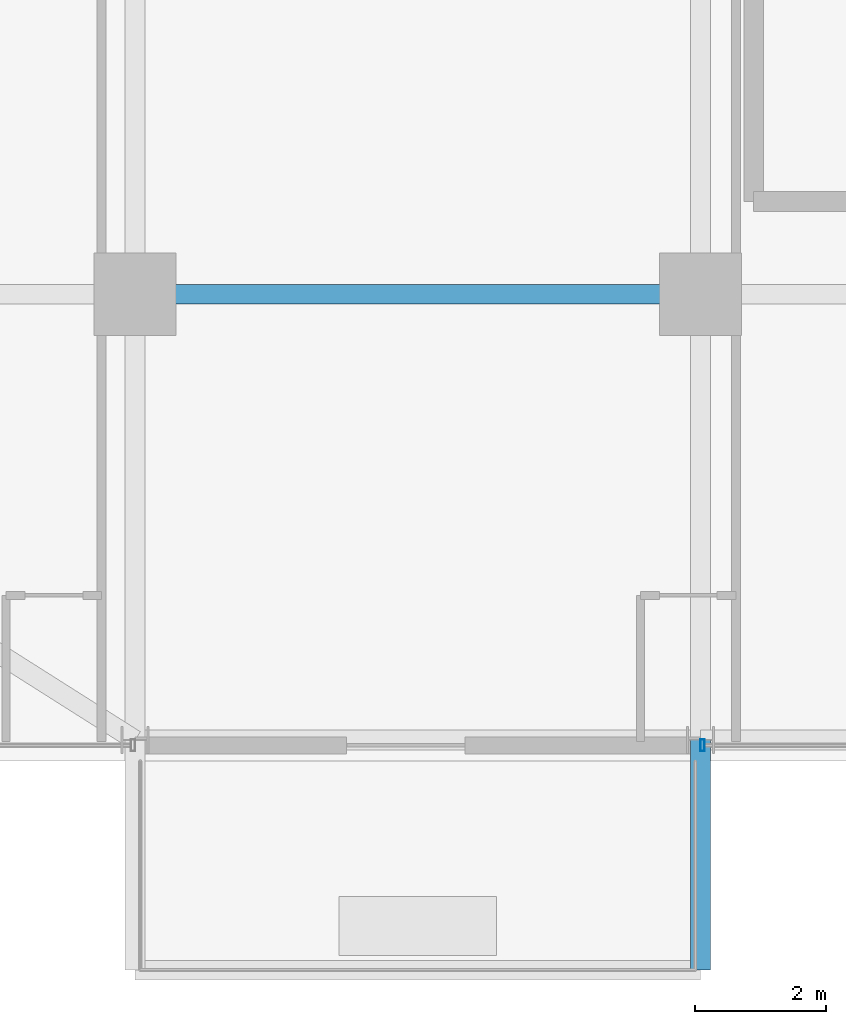
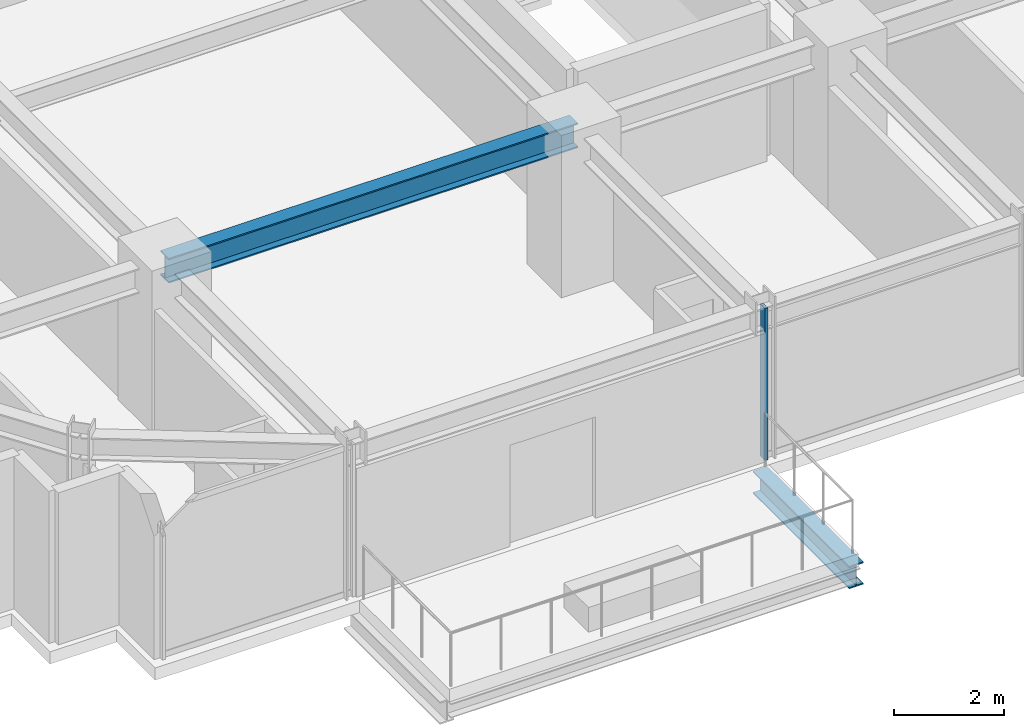
# One storey, part 5 of 32: 2 beams, 1 member, 1 element without a shape of its own.
"""IFC4 building model written with IfcOpenShell, lengths in metres."""

from ifc_helpers import new_model, si_unit, direction, frame, origin, origin_2d, place, context, subcontext, project, spatial, hollow_rectangle, i_section, extrude, source, transform, mapped, material, material_profile, profile_set, type_object, element, aggregate, save


model = new_model("IFC4")

# Units and contexts
model_context = context("Model", 3, precision=1e-05, world=origin(), true_north=direction((0.0, 1.0)))
body_context = subcontext(model_context, "Body", "Model", "MODEL_VIEW")
ifc_project = project(units=[si_unit("LENGTHUNIT", "METRE"), si_unit("AREAUNIT", "SQUARE_METRE"), si_unit("VOLUMEUNIT", "CUBIC_METRE"), si_unit("PLANEANGLEUNIT", "RADIAN"), si_unit("MASSUNIT", "GRAM", prefix="KILO")], contexts=[model_context])

# Site, building, storey
site_placement = place(None, origin())
site = spatial("IfcSite", under=ifc_project, at=site_placement, CompositionType="ELEMENT")
building_placement = place(site_placement, origin())
building = spatial("IfcBuilding", under=site, at=building_placement, Name="Nahalor Promenade Grand Hotel", CompositionType="ELEMENT")
storey_placement = place(building_placement, frame((0.0, 0.0, 110.199951171875)))
storey = spatial("IfcBuildingStorey", under=building, at=storey_placement, Name="L27", CompositionType="ELEMENT", Elevation=110.199951171875)

# Beams
ifc_material_1 = material(Name="Steel S355JR", Category="steel")
ifc_material_profile_1 = material_profile(ifc_material_1, i_section(OverallWidth=0.3, OverallDepth=0.5, WebThickness=0.0145, FlangeThickness=0.028, at=origin_2d()), Name="HEB 500")
ifc_profile_set_1 = profile_set([ifc_material_profile_1], Name="Steel S355JR")
beam_type_1 = type_object("IfcBeamType", Name="Beam-Outrigger-HEB500", PredefinedType="BEAM", material=ifc_profile_set_1)
shared_shape_1 = source(origin(), body_context, "Body", "SweptSolid", [
    extrude(i_section(OverallWidth=0.3, OverallDepth=0.5, WebThickness=0.0145, FlangeThickness=0.028, at=origin_2d()), origin(), (0.0, 0.0, 1.0), 3.5),
])
beam_1_placement = place(storey_placement, frame((-8.39990234375, -27.280029296875, -0.530029296875), z_axis=(0.0, 1.0, 0.0), x_axis=(-1.0, 0.0, 0.0)))
element("IfcBeam", 1, at=beam_1_placement, inside=storey, type_object=beam_type_1, Name="BM-L27-BC-01-2", PredefinedType="BEAM", context=body_context, shape_type="MappedRepresentation", body=[
    mapped(shared_shape_1, transform((0.0, 0.0, 0.0), scale=1.0)),
])
ifc_material_profile_2 = material_profile(ifc_material_1, i_section(OverallWidth=0.3, OverallDepth=0.55, WebThickness=0.015, FlangeThickness=0.029, at=origin_2d()), Name="HEB 550")
ifc_profile_set_2 = profile_set([ifc_material_profile_2], Name="Steel S355JR")
beam_type_2 = type_object("IfcBeamType", Name="Beam-Girder-HEB550", PredefinedType="BEAM", material=ifc_profile_set_2)
shared_shape_2 = source(origin(), body_context, "Body", "SweptSolid", [
    extrude(i_section(OverallWidth=0.3, OverallDepth=0.55, WebThickness=0.015, FlangeThickness=0.029, at=origin_2d()), origin(), (0.0, 0.0, 1.0), 8.60009765625),
])
beam_2_placement = place(storey_placement, frame((-17.0, -17.0, 3.10498046875), z_axis=(1.0, 0.0, 0.0), x_axis=(0.0, 1.0, 0.0)))
element("IfcBeam", 2, at=beam_2_placement, inside=storey, type_object=beam_type_2, Name="BM-L27-GX-0-1", PredefinedType="BEAM", context=body_context, shape_type="MappedRepresentation", body=[
    mapped(shared_shape_2, transform((0.0, 0.0, 0.0), scale=1.0)),
])

# Curtain wall, member
ifc_material_2 = material(Name="Anodised Bronze Aluminium EN AW-6063 T6", Category="aluminium")
curtain_wall_type = type_object("IfcCurtainWallType", Name="CW2 Typical Hotel Flush Bronze Unitised Curtain Wall", PredefinedType="USERDEFINED", material=ifc_material_2)
curtain_wall_placement = place(storey_placement, origin())
curtain_wall = element("IfcCurtainWall", 3, at=curtain_wall_placement, inside=storey, type_object=curtain_wall_type, Name="L27 Curtain Wall CW-L27-S-3", ObjectType="UNITISED_CURTAIN_WALL", PredefinedType="USERDEFINED")
ifc_material_profile_3 = material_profile(ifc_material_2, hollow_rectangle(XDim=0.065, YDim=0.18, WallThickness=0.004, at=origin_2d()), Name="CWM 65x180x4")
ifc_profile_set_3 = profile_set([ifc_material_profile_3], Name="Anodised Bronze Aluminium EN AW-6063 T6")
member_type = type_object("IfcMemberType", Name="CWM2 Typical Bronze Mullion 65x180", PredefinedType="MULLION", material=ifc_profile_set_3)
shared_shape_3 = source(origin(), body_context, "Body", "SweptSolid", [
    extrude(hollow_rectangle(XDim=0.065, YDim=0.18, WallThickness=0.004, at=origin_2d()), origin(), (0.0, 0.0, 1.0), 3.380126953125),
])
member_placement = place(storey_placement, frame((-8.367431640625, -23.860107421875, 0.0), z_axis=(0.0, 0.0, 1.0), x_axis=(1.0, 0.0, 0.0)))
member = element("IfcMember", 4, at=member_placement, type_object=member_type, Name="CW-L27-S-3 Mullion 0", PredefinedType="MULLION", context=body_context, shape_type="MappedRepresentation", body=[
    mapped(shared_shape_3, transform((0.0, 0.0, 0.0), scale=1.0)),
])
aggregate(curtain_wall, [member])

save(model, "model.ifc")
